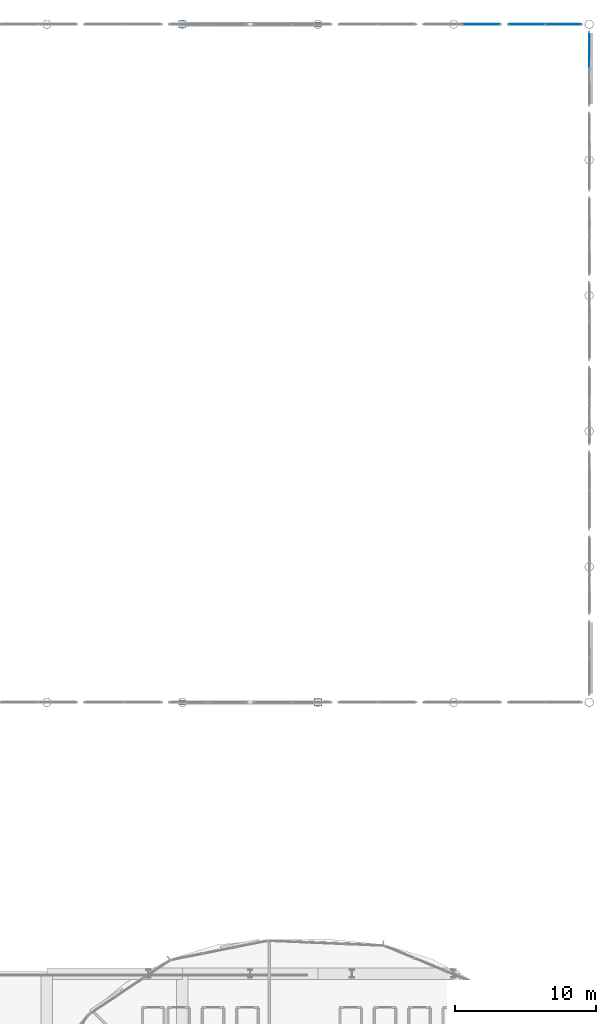
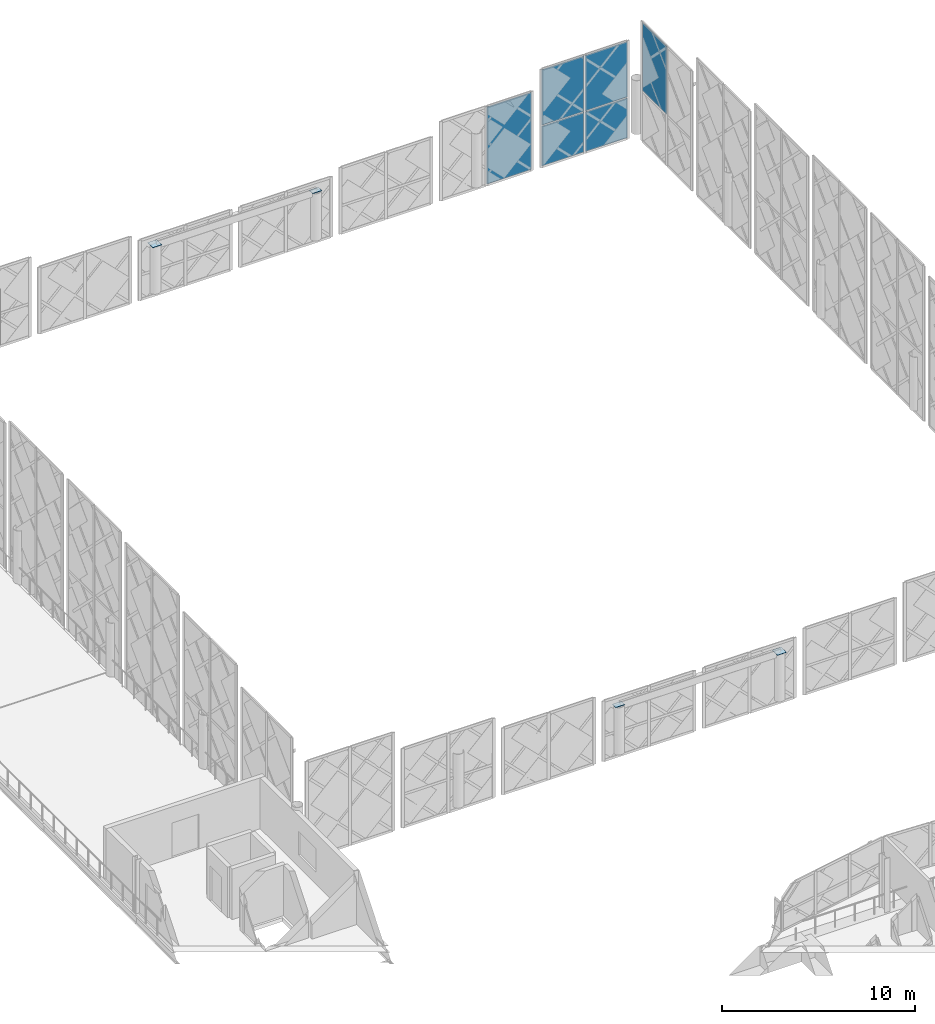
# One storey, part 27 of 53: 10 plates, 3 elements without a shape of their own.
"""IFC4 building model written with IfcOpenShell, lengths in metres."""

from ifc_helpers import new_model, si_unit, direction, frame, origin, origin_2d, place, context, subcontext, project, spatial, rectangle, extrude, material, layer, layer_set, type_object, element, aggregate, save


model = new_model("IFC4")

# Units and contexts
model_context = context("Model", 3, precision=1e-05, world=origin(), true_north=direction((0.0, 1.0)))
body_context = subcontext(model_context, "Body", "Model", "MODEL_VIEW")
ifc_project = project(units=[si_unit("LENGTHUNIT", "METRE"), si_unit("AREAUNIT", "SQUARE_METRE"), si_unit("VOLUMEUNIT", "CUBIC_METRE"), si_unit("PLANEANGLEUNIT", "RADIAN"), si_unit("MASSUNIT", "GRAM", prefix="KILO")], contexts=[model_context])

# Site, building, storey
site_placement = place(None, origin())
site = spatial("IfcSite", under=ifc_project, at=site_placement, CompositionType="ELEMENT")
building_placement = place(site_placement, origin())
building = spatial("IfcBuilding", under=site, at=building_placement, Name="Zevrakil Square Congress Hotel", CompositionType="ELEMENT")
storey_placement = place(building_placement, frame((0.0, 0.0, 14.699951171875)))
storey = spatial("IfcBuildingStorey", under=building, at=storey_placement, Name="L04", CompositionType="ELEMENT", Elevation=14.699951171875)

# Curtain wall, plates
ifc_material_1 = material(Name="Aluminium Anodised Bronze", Category="aluminium")
ifc_layer_1 = layer(ifc_material_1, 0.179931640625)
ifc_layer_set_1 = layer_set([ifc_layer_1], Name="Aluminium Anodised Bronze")
curtain_wall_type = type_object("IfcCurtainWallType", Name="CW-L01-560", PredefinedType="USERDEFINED", material=ifc_layer_set_1)
curtain_wall_1_placement = place(storey_placement, origin())
curtain_wall_1 = element("IfcCurtainWall", 1, at=curtain_wall_1_placement, inside=storey, type_object=curtain_wall_type, Name="L04 diamond curtain wall CW-L04-0098", ObjectType="GLAZED CURTAIN WALL", PredefinedType="USERDEFINED")
ifc_material_2 = material(Name="Low-E Solar Control Double Glazing", Category="glass")
ifc_layer_2 = layer(ifc_material_2, 0.028076171875)
ifc_layer_set_2 = layer_set([ifc_layer_2], Name="Low-E Solar Control Double Glazing")
plate_type_1 = type_object("IfcPlateType", Name="CWP-GLAZ-28", PredefinedType="CURTAIN_PANEL", material=ifc_layer_set_2)
plate_1_placement = place(storey_placement, frame((161.172607421875, 112.800048828125, 2.3740234375), z_axis=(0.0, 0.0, 1.0), x_axis=(1.0, 0.0, 0.0)))
plate_1 = element("IfcPlate", 2, at=plate_1_placement, type_object=plate_type_1, Name="CW-08 panel 1.2", PredefinedType="CURTAIN_PANEL", context=body_context, shape_type="SweptSolid", body=[
    extrude(rectangle(XDim=2.52490234375, YDim=0.028076171875, at=origin_2d()), origin(), (0.0, 0.0, 1.0), 3.506103515625),
])
plate_2_placement = place(storey_placement, frame((163.757568359375, 112.800048828125, 2.3740234375), z_axis=(0.0, 0.0, 1.0), x_axis=(1.0, 0.0, 0.0)))
plate_2 = element("IfcPlate", 3, at=plate_2_placement, type_object=plate_type_1, Name="CW-08 panel 2.2", PredefinedType="CURTAIN_PANEL", context=body_context, shape_type="SweptSolid", body=[
    extrude(rectangle(XDim=2.52490234375, YDim=0.028076171875, at=origin_2d()), origin(), (0.0, 0.0, 1.0), 3.506103515625),
])

# Curtain wall, plate
curtain_wall_2_placement = place(storey_placement, origin())
curtain_wall_2 = element("IfcCurtainWall", 4, at=curtain_wall_2_placement, inside=storey, type_object=curtain_wall_type, Name="L04 diamond curtain wall CW-L04-0097", ObjectType="GLAZED CURTAIN WALL", PredefinedType="USERDEFINED")
ifc_material_3 = material(Name="Basalt Grey Ribbed GRC Panel", Category="masonry")
ifc_layer_3 = layer(ifc_material_3, 0.0439453125)
ifc_layer_set_3 = layer_set([ifc_layer_3], Name="Basalt Grey Ribbed GRC Panel")
plate_type_2 = type_object("IfcPlateType", Name="CWP-GRCG-44", PredefinedType="CURTAIN_PANEL", material=ifc_layer_set_3)
plate_3_placement = place(storey_placement, frame((157.9599609375, 112.800048828125, -0.199951171875), z_axis=(0.0, 0.0, 1.0), x_axis=(1.0, 0.0, 0.0)))
plate_3 = element("IfcPlate", 5, at=plate_3_placement, type_object=plate_type_2, Name="CW-08 panel 2.1", PredefinedType="CURTAIN_PANEL", context=body_context, shape_type="SweptSolid", body=[
    extrude(rectangle(XDim=2.659912109375, YDim=0.028076171875, at=origin_2d()), origin(), (0.0, 0.0, 1.0), 4.8798828125),
])
aggregate(curtain_wall_2, [plate_3])

# Plate
plate_4_placement = place(storey_placement, frame((161.172607421875, 112.800048828125, -0.19970703125), z_axis=(0.0, 0.0, 1.0), x_axis=(1.0, 0.0, 0.0)))
plate_4 = element("IfcPlate", 6, at=plate_4_placement, type_object=plate_type_2, Name="CW-08 panel 1.1", PredefinedType="CURTAIN_PANEL", context=body_context, shape_type="SweptSolid", body=[
    extrude(rectangle(XDim=2.52490234375, YDim=0.028076171875, at=origin_2d()), origin(), (0.0, 0.0, 1.0), 2.513916015625),
])

# Curtain wall, plate
curtain_wall_3_placement = place(storey_placement, origin())
curtain_wall_3 = element("IfcCurtainWall", 7, at=curtain_wall_3_placement, inside=storey, type_object=curtain_wall_type, Name="L04 diamond curtain wall CW-L04-0082", ObjectType="GLAZED CURTAIN WALL", PredefinedType="USERDEFINED")
ifc_material_4 = material(Name="White Ribbed Highland GRC Panel", Category="concrete")
ifc_layer_4 = layer(ifc_material_4, 0.0400390625)
ifc_layer_set_4 = layer_set([ifc_layer_4], Name="White Ribbed Highland GRC Panel")
plate_type_3 = type_object("IfcPlateType", Name="CWP-GRCW-40", PredefinedType="CURTAIN_PANEL", material=ifc_layer_set_4)
plate_5_placement = place(storey_placement, frame((165.60009765625, 110.95751953125, 2.943603515625), z_axis=(0.0, 0.0, 1.0), x_axis=(0.0, 1.0, 0.0)))
plate_5 = element("IfcPlate", 8, at=plate_5_placement, type_object=plate_type_3, Name="CW-08 panel 2.2", PredefinedType="CURTAIN_PANEL", context=body_context, shape_type="SweptSolid", body=[
    extrude(rectangle(XDim=2.52490234375, YDim=0.028076171875, at=origin_2d()), origin(), (0.0, 0.0, 1.0), 4.29248046875),
])
aggregate(curtain_wall_3, [plate_5])

# Plate
plate_6_placement = place(storey_placement, frame((163.757568359375, 112.800048828125, -0.19970703125), z_axis=(0.0, 0.0, 1.0), x_axis=(1.0, 0.0, 0.0)))
plate_6 = element("IfcPlate", 9, at=plate_6_placement, type_object=plate_type_3, Name="CW-08 panel 2.1", PredefinedType="CURTAIN_PANEL", context=body_context, shape_type="SweptSolid", body=[
    extrude(rectangle(XDim=2.52490234375, YDim=0.028076171875, at=origin_2d()), origin(), (0.0, 0.0, 1.0), 2.513916015625),
])

aggregate(curtain_wall_1, [plate_4, plate_1, plate_6, plate_2])

# Plates
ifc_material_5 = material(Name="Steel S355", Category="steel")
ifc_layer_5 = layer(ifc_material_5, 0.02490234375)
ifc_layer_set_5 = layer_set([ifc_layer_5], Name="Steel S355")
plate_type_4 = type_object("IfcPlateType", Name="PLT-CAP-540", PredefinedType="SHEET", material=ifc_layer_set_5)
for number, where, z_axis, x_axis, name in (
    (10, (146.39990234375, 64.800048828125, 2.965576171875), (0.0, 0.0, 1.0), (1.0, 0.0, 0.0), "Compression ring splice cap plate RP-04"),
    (11, (136.800048828125, 112.800048828125, 2.965576171875), (0.0, 0.0, 1.0), (1.0, 0.0, 0.0), "Compression ring splice cap plate RP-14"),
):
    element("IfcPlate", number, at=place(storey_placement, frame(where, z_axis=z_axis, x_axis=x_axis)), inside=storey, type_object=plate_type_4, Name=name, PredefinedType="SHEET", context=body_context, shape_type="SweptSolid", body=[
        extrude(rectangle(XDim=0.5400390625, YDim=0.5400390625, at=origin_2d()), origin(), (0.0, 0.0, 1.0), 0.02490234375),
    ])
ifc_material_6 = material(Name="Steel S355", Category="steel")
ifc_layer_6 = layer(ifc_material_6, 0.02490234375)
ifc_layer_set_6 = layer_set([ifc_layer_6], Name="Steel S355")
plate_type_5 = type_object("IfcPlateType", Name="PLT-RING-550", PredefinedType="SHEET", material=ifc_layer_set_6)
for number, where, z_axis, x_axis, name in (
    (12, (136.800048828125, 64.800048828125, 2.965576171875), (0.0, 0.0, 1.0), (1.0, 0.0, 0.0), "Compression ring splice cap plate RP-03"),
    (13, (146.39990234375, 112.800048828125, 2.965576171875), (0.0, 0.0, 1.0), (1.0, 0.0, 0.0), "Compression ring splice cap plate RP-13"),
):
    element("IfcPlate", number, at=place(storey_placement, frame(where, z_axis=z_axis, x_axis=x_axis)), inside=storey, type_object=plate_type_5, Name=name, PredefinedType="SHEET", context=body_context, shape_type="SweptSolid", body=[
        extrude(rectangle(XDim=0.550048828125, YDim=0.35009765625, at=origin_2d()), origin(), (0.0, 0.0, 1.0), 0.02490234375),
    ])

save(model, "model.ifc")
